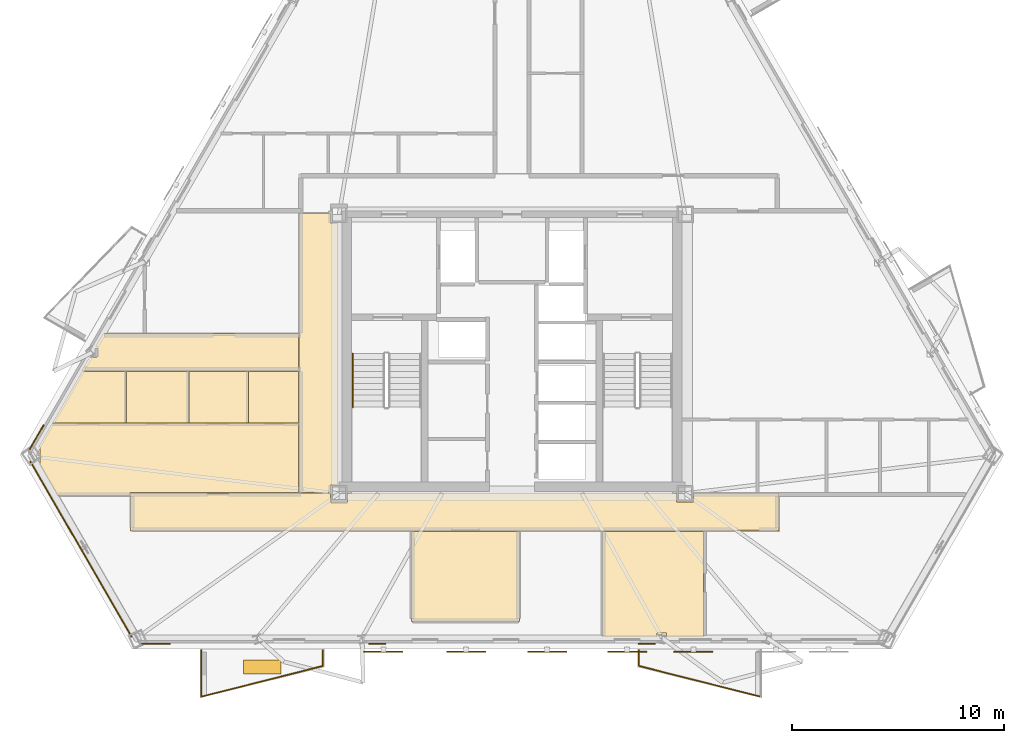
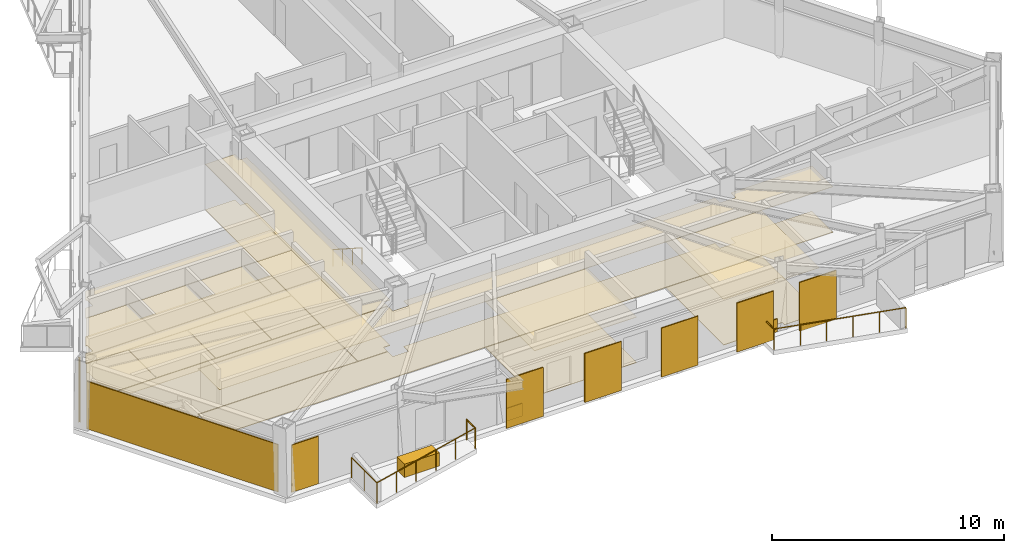
# One storey, part 7 of 9: 26 coverings, 6 railings, 5 shading devices.
"""IFC4 building model written with IfcOpenShell, lengths in metres."""

from ifc_helpers import new_model, si_unit, direction, frame, origin, origin_2d, place, context, subcontext, project, spatial, polyline, rectangle, circle, outline, extrude, material, layer, layer_set, type_object, element, save


model = new_model("IFC4")

# Units and contexts
model_context = context("Model", 3, precision=1e-05, world=origin(), true_north=direction((0.0, 1.0)))
body_context = subcontext(model_context, "Body", "Model", "MODEL_VIEW")
ifc_project = project(units=[si_unit("LENGTHUNIT", "METRE"), si_unit("AREAUNIT", "SQUARE_METRE"), si_unit("VOLUMEUNIT", "CUBIC_METRE"), si_unit("PLANEANGLEUNIT", "RADIAN"), si_unit("MASSUNIT", "GRAM", prefix="KILO")], contexts=[model_context])

# Site, building, storey
site_placement = place(None, origin())
site = spatial("IfcSite", under=ifc_project, at=site_placement, CompositionType="ELEMENT")
building_placement = place(site_placement, origin())
building = spatial("IfcBuilding", under=site, at=building_placement, Name="Oramaril Tower", CompositionType="ELEMENT")
storey_placement = place(building_placement, frame((0.0, 0.0, 138.60009765625)))
storey = spatial("IfcBuildingStorey", under=building, at=storey_placement, Name="L36", CompositionType="ELEMENT", Elevation=138.60009765625)

# Coverings
ifc_material_1 = material(Name="Mineral Fibre Acoustic Ceiling")
ifc_layer_1 = layer(ifc_material_1, 0.02001953125)
ifc_layer_set_1 = layer_set([ifc_layer_1], Name="CVT-CEIL")
covering_type_1 = type_object("IfcCoveringType", Name="CVT-CEIL", PredefinedType="CEILING", material=ifc_layer_set_1)
covering_1_placement = place(storey_placement, frame((0.0, 0.0, 2.39990234375)))
element("IfcCovering", 1, at=covering_1_placement, inside=storey, type_object=covering_type_1, Name="L36 Acoustic Suspended Ceiling 1", PredefinedType="CEILING", context=body_context, shape_type="SweptSolid", body=[
    extrude(outline(polyline([(28.955078125, 10.60498046875), (29.7451171875, 10.60498046875), (29.7451171875, 11.030029296875), (45.2548828125, 11.030029296875), (45.2548828125, 10.60498046875), (46.044921875, 10.60498046875), (46.044921875, 11.030029296875), (50.080078125, 11.030029296875), (50.080078125, 9.219970703125), (19.52001953125, 9.219970703125), (19.52001953125, 11.030029296875), (28.955078125, 11.030029296875), (28.955078125, 10.60498046875)])), origin(), (0.0, 0.0, 1.0), 0.02001953125),
])
covering_2_placement = place(storey_placement, frame((0.0, 0.0, 2.39990234375)))
element("IfcCovering", 2, at=covering_2_placement, inside=storey, type_object=covering_type_1, Name="L36 Acoustic Suspended Ceiling 3", PredefinedType="CEILING", context=body_context, shape_type="SweptSolid", body=[
    extrude(outline(polyline([(28.955078125, 23.7548828125), (29.280029296875, 23.7548828125), (29.280029296875, 11.39501953125), (28.955078125, 11.39501953125), (28.955078125, 11.050048828125), (27.469970703125, 11.050048828125), (27.469970703125, 24.219970703125), (28.955078125, 24.219970703125), (28.955078125, 23.7548828125)])), origin(), (0.0, 0.0, 1.0), 0.02001953125),
])
covering_3_placement = place(storey_placement, frame((0.0, 0.0, 2.39990234375)))
element("IfcCovering", 3, at=covering_3_placement, inside=storey, type_object=covering_type_1, Name="L36 Acoustic Suspended Ceiling 5", PredefinedType="CEILING", context=body_context, shape_type="SweptSolid", body=[
    extrude(outline(polyline([(17.206787109375, 16.77001953125), (17.5859375, 17.42626953125), (17.943115234375, 17.42626953125), (17.943115234375, 17.92578125), (17.874267578125, 17.92578125), (18.22314453125, 18.530029296875), (27.449951171875, 18.530029296875), (27.449951171875, 16.77001953125), (17.206787109375, 16.77001953125)])), origin(), (0.0, 0.0, 1.0), 0.02001953125),
])
covering_4_placement = place(storey_placement, frame((0.0, 0.0, 2.39990234375)))
element("IfcCovering", 4, at=covering_4_placement, inside=storey, type_object=covering_type_1, Name="L36 Acoustic Suspended Ceiling 6", PredefinedType="CEILING", context=body_context, shape_type="SweptSolid", body=[
    extrude(outline(polyline([(32.758056640625, 4.9580078125), (32.758056640625, 9.199951171875), (37.842041015625, 9.199951171875), (37.842041015625, 4.9580078125), (32.758056640625, 4.9580078125)])), origin(), (0.0, 0.0, 1.0), 0.02001953125),
])
covering_5_placement = place(storey_placement, frame((0.0, 0.0, 2.39990234375)))
element("IfcCovering", 5, at=covering_5_placement, inside=storey, type_object=covering_type_1, Name="L36 Acoustic Suspended Ceiling 8", PredefinedType="CEILING", context=body_context, shape_type="SweptSolid", body=[
    extrude(outline(polyline([(44.786376953125, 4.228759765625), (44.786376953125, 4.419677734375), (44.333251953125, 4.419677734375), (44.333251953125, 4.228759765625), (41.758056640625, 4.228759765625), (41.758056640625, 9.199951171875), (46.526611328125, 9.199951171875), (46.526611328125, 4.228759765625), (44.786376953125, 4.228759765625)])), origin(), (0.0, 0.0, 1.0), 0.02001953125),
])
covering_6_placement = place(storey_placement, frame((0.0, 0.0, 2.39990234375)))
element("IfcCovering", 6, at=covering_6_placement, inside=storey, type_object=covering_type_1, Name="L36 Acoustic Suspended Ceiling 9", PredefinedType="CEILING", context=body_context, shape_type="SweptSolid", body=[
    extrude(outline(polyline([(16.073974609375, 10.907958984375), (15.224365234375, 12.379638671875), (15.266845703125, 12.379638671875), (15.266845703125, 13.189697265625), (15.183837890625, 13.189697265625), (15.822509765625, 14.2958984375), (27.449951171875, 14.2958984375), (27.449951171875, 11.050048828125), (19.52001953125, 11.050048828125), (19.51806640625, 11.0498046875), (19.51611328125, 11.049560546875), (19.51416015625, 11.049072265625), (19.51220703125, 11.048583984375), (19.510498046875, 11.047607421875), (19.5087890625, 11.046630859375), (19.50732421875, 11.04541015625), (19.505859375, 11.044189453125), (19.50439453125, 11.042724609375), (19.50341796875, 11.041015625), (19.50244140625, 11.039306640625), (19.50146484375, 11.03759765625), (19.5009765625, 11.035888671875), (19.50048828125, 11.033935546875), (19.5, 11.031982421875), (19.5, 11.030029296875), (19.5, 10.907958984375), (16.073974609375, 10.907958984375)])), origin(), (0.0, 0.0, 1.0), 0.02001953125),
])
covering_7_placement = place(storey_placement, frame((0.0, 0.0, 2.39990234375)))
element("IfcCovering", 7, at=covering_7_placement, inside=storey, type_object=covering_type_1, Name="L36 Acoustic Suspended Ceiling 10", PredefinedType="CEILING", context=body_context, shape_type="SweptSolid", body=[
    extrude(outline(polyline([(17.2392578125, 16.75), (19.31494140625, 16.75), (19.31494140625, 14.31591796875), (15.833984375, 14.31591796875), (17.2392578125, 16.75)])), origin(), (0.0, 0.0, 1.0), 0.02001953125),
])
covering_8_placement = place(storey_placement, frame((0.0, 0.0, 2.39990234375)))
element("IfcCovering", 8, at=covering_8_placement, inside=storey, type_object=covering_type_1, Name="L36 Acoustic Suspended Ceiling 11", PredefinedType="CEILING", context=body_context, shape_type="SweptSolid", body=[
    extrude(outline(polyline([(22.259033203125, 14.31591796875), (19.3349609375, 14.31591796875), (19.3349609375, 16.75), (22.259033203125, 16.75), (22.259033203125, 14.31591796875)])), origin(), (0.0, 0.0, 1.0), 0.02001953125),
])
covering_9_placement = place(storey_placement, frame((0.0, 0.0, 2.39990234375)))
element("IfcCovering", 9, at=covering_9_placement, inside=storey, type_object=covering_type_1, Name="L36 Acoustic Suspended Ceiling 12", PredefinedType="CEILING", context=body_context, shape_type="SweptSolid", body=[
    extrude(outline(polyline([(25.072021484375, 14.31591796875), (22.279052734375, 14.31591796875), (22.279052734375, 16.75), (25.072021484375, 16.75), (25.072021484375, 14.31591796875)])), origin(), (0.0, 0.0, 1.0), 0.02001953125),
])
covering_10_placement = place(storey_placement, frame((0.0, 0.0, 2.39990234375)))
element("IfcCovering", 10, at=covering_10_placement, inside=storey, type_object=covering_type_1, Name="L36 Acoustic Suspended Ceiling 13", PredefinedType="CEILING", context=body_context, shape_type="SweptSolid", body=[
    extrude(outline(polyline([(25.092041015625, 16.75), (27.449951171875, 16.75), (27.449951171875, 14.31591796875), (25.092041015625, 14.31591796875), (25.092041015625, 16.75)])), origin(), (0.0, 0.0, 1.0), 0.02001953125),
])
ifc_material_2 = material(Name="Warm Cream Limestone", Category="masonry")
ifc_layer_2 = layer(ifc_material_2, 0.050048828125)
ifc_layer_set_2 = layer_set([ifc_layer_2], Name="CVT-CLD")
covering_type_2 = type_object("IfcCoveringType", Name="CVT-CLD", PredefinedType="CLADDING", material=ifc_layer_set_2)
covering_11_placement = place(storey_placement, frame((17.189697265625, 8.373779296875, 0.039794921875), z_axis=(0.0, 0.0, 1.0), x_axis=(0.500001511499, -0.866024531118, 0.0)))
element("IfcCovering", 11, at=covering_11_placement, inside=storey, type_object=covering_type_2, Name="L36 Warm Cream Limestone Cladding", PredefinedType="CLADDING", context=body_context, shape_type="SweptSolid", body=[
    extrude(rectangle(XDim=9.544921875, YDim=0.050048828125, at=origin_2d()), origin(), (0.0, 0.0, 1.0), 2.5),
])
covering_12_placement = place(storey_placement, frame((20.718017578125, 3.927734375, 0.039794921875), z_axis=(0.0, 0.0, 1.0), x_axis=(1.0, 0.0, 0.0)))
element("IfcCovering", 12, at=covering_12_placement, inside=storey, type_object=covering_type_2, Name="L36 Warm Cream Limestone Cladding", PredefinedType="CLADDING", context=body_context, shape_type="SweptSolid", body=[
    extrude(rectangle(XDim=1.35009765625, YDim=0.050048828125, at=origin_2d()), origin(), (0.0, 0.0, 1.0), 2.5),
])
for number, where, z_axis, x_axis, name in (
    (13, (31.15234375, 3.927734375, 0.0400390625), (0.0, 0.0, 1.0), (1.0, 0.0, 0.0), "L36 Warm Cream Limestone Spandrel Cladding"),
    (14, (43.84765625, 3.927734375, 0.0400390625), (0.0, 0.0, 1.0), (1.0, 0.0, 0.0), "L36 Warm Cream Limestone Spandrel Cladding"),
):
    element("IfcCovering", number, at=place(storey_placement, frame(where, z_axis=z_axis, x_axis=x_axis)), inside=storey, type_object=covering_type_2, Name=name, PredefinedType="CLADDING", context=body_context, shape_type="SweptSolid", body=[
        extrude(rectangle(XDim=0.800048828125, YDim=0.050048828125, at=origin_2d()), origin(), (0.0, 0.0, 1.0), 0.679931640625),
    ])
covering_13_placement = place(storey_placement, frame((15.103515625, 13.65234375, 0.039794921875), z_axis=(0.0, 0.0, 1.0), x_axis=(-0.5, -0.866025403784, 0.0)))
element("IfcCovering", 15, at=covering_13_placement, inside=storey, type_object=covering_type_2, Name="L36 Warm Cream Limestone Cladding", PredefinedType="CLADDING", context=body_context, shape_type="SweptSolid", body=[
    extrude(rectangle(XDim=1.35009765625, YDim=0.050048828125, at=origin_2d()), origin(), (0.0, 0.0, 1.0), 2.5),
])
covering_14_placement = place(storey_placement, frame((25.727294921875, 2.82421875, 0.0), z_axis=(0.0, 0.0, 1.0), x_axis=(1.0, 0.0, 0.0)))
element("IfcCovering", 16, at=covering_14_placement, inside=storey, type_object=covering_type_2, Name="L36 Structural Tree Planter Box L36-BAL-S1", PredefinedType="CLADDING", context=body_context, shape_type="SweptSolid", body=[
    extrude(rectangle(XDim=1.75, YDim=0.64990234375, at=origin_2d()), origin(), (0.0, 0.0, 1.0), 0.699951171875),
])
ifc_material_3 = material(Name="Honed Quartzite Stone Flooring", Category="masonry")
ifc_layer_3 = layer(ifc_material_3, 0.02490234375)
ifc_layer_set_3 = layer_set([ifc_layer_3], Name="CVT-FLR")
covering_type_3 = type_object("IfcCoveringType", Name="CVT-FLR", PredefinedType="FLOORING", material=ifc_layer_set_3)
covering_15_placement = place(storey_placement, origin())
element("IfcCovering", 17, at=covering_15_placement, inside=storey, type_object=covering_type_3, Name="L36 Honed Stone Floor Finish 1", PredefinedType="FLOORING", context=body_context, shape_type="SweptSolid", body=[
    extrude(outline(polyline([(28.955078125, 10.60498046875), (29.7451171875, 10.60498046875), (29.7451171875, 11.030029296875), (45.2548828125, 11.030029296875), (45.2548828125, 10.60498046875), (46.044921875, 10.60498046875), (46.044921875, 11.030029296875), (50.080078125, 11.030029296875), (50.080078125, 9.219970703125), (19.52001953125, 9.219970703125), (19.52001953125, 11.030029296875), (28.955078125, 11.030029296875), (28.955078125, 10.60498046875)])), origin(), (0.0, 0.0, 1.0), 0.02490234375),
])
covering_16_placement = place(storey_placement, origin())
element("IfcCovering", 18, at=covering_16_placement, inside=storey, type_object=covering_type_3, Name="L36 Honed Stone Floor Finish 3", PredefinedType="FLOORING", context=body_context, shape_type="SweptSolid", body=[
    extrude(outline(polyline([(28.955078125, 23.7548828125), (29.280029296875, 23.7548828125), (29.280029296875, 11.39501953125), (28.955078125, 11.39501953125), (28.955078125, 11.050048828125), (27.469970703125, 11.050048828125), (27.469970703125, 24.219970703125), (28.955078125, 24.219970703125), (28.955078125, 23.7548828125)])), origin(), (0.0, 0.0, 1.0), 0.02490234375),
])
covering_17_placement = place(storey_placement, origin())
element("IfcCovering", 19, at=covering_17_placement, inside=storey, type_object=covering_type_3, Name="L36 Honed Stone Floor Finish 5", PredefinedType="FLOORING", context=body_context, shape_type="SweptSolid", body=[
    extrude(outline(polyline([(17.206787109375, 16.77001953125), (17.5859375, 17.42626953125), (17.943115234375, 17.42626953125), (17.943115234375, 17.92578125), (17.874267578125, 17.92578125), (18.22314453125, 18.530029296875), (27.449951171875, 18.530029296875), (27.449951171875, 16.77001953125), (17.206787109375, 16.77001953125)])), origin(), (0.0, 0.0, 1.0), 0.02490234375),
])
covering_18_placement = place(storey_placement, origin())
element("IfcCovering", 20, at=covering_18_placement, inside=storey, type_object=covering_type_3, Name="L36 Honed Stone Floor Finish 6", PredefinedType="FLOORING", context=body_context, shape_type="SweptSolid", body=[
    extrude(outline(polyline([(32.758056640625, 4.9580078125), (32.758056640625, 9.199951171875), (37.842041015625, 9.199951171875), (37.842041015625, 4.9580078125), (32.758056640625, 4.9580078125)])), origin(), (0.0, 0.0, 1.0), 0.02490234375),
])
covering_19_placement = place(storey_placement, origin())
element("IfcCovering", 21, at=covering_19_placement, inside=storey, type_object=covering_type_3, Name="L36 Honed Stone Floor Finish 8", PredefinedType="FLOORING", context=body_context, shape_type="SweptSolid", body=[
    extrude(outline(polyline([(44.786376953125, 4.228759765625), (44.786376953125, 4.419677734375), (44.333251953125, 4.419677734375), (44.333251953125, 4.228759765625), (41.758056640625, 4.228759765625), (41.758056640625, 9.199951171875), (46.526611328125, 9.199951171875), (46.526611328125, 4.228759765625), (44.786376953125, 4.228759765625)])), origin(), (0.0, 0.0, 1.0), 0.02490234375),
])
covering_20_placement = place(storey_placement, origin())
element("IfcCovering", 22, at=covering_20_placement, inside=storey, type_object=covering_type_3, Name="L36 Honed Stone Floor Finish 9", PredefinedType="FLOORING", context=body_context, shape_type="SweptSolid", body=[
    extrude(outline(polyline([(16.073974609375, 10.907958984375), (15.224365234375, 12.379638671875), (15.266845703125, 12.379638671875), (15.266845703125, 13.189697265625), (15.183837890625, 13.189697265625), (15.822509765625, 14.2958984375), (27.449951171875, 14.2958984375), (27.449951171875, 11.050048828125), (19.52001953125, 11.050048828125), (19.51806640625, 11.0498046875), (19.51611328125, 11.049560546875), (19.51416015625, 11.049072265625), (19.51220703125, 11.048583984375), (19.510498046875, 11.047607421875), (19.5087890625, 11.046630859375), (19.50732421875, 11.04541015625), (19.505859375, 11.044189453125), (19.50439453125, 11.042724609375), (19.50341796875, 11.041015625), (19.50244140625, 11.039306640625), (19.50146484375, 11.03759765625), (19.5009765625, 11.035888671875), (19.50048828125, 11.033935546875), (19.5, 11.031982421875), (19.5, 11.030029296875), (19.5, 10.907958984375), (16.073974609375, 10.907958984375)])), origin(), (0.0, 0.0, 1.0), 0.02490234375),
])
covering_21_placement = place(storey_placement, origin())
element("IfcCovering", 23, at=covering_21_placement, inside=storey, type_object=covering_type_3, Name="L36 Honed Stone Floor Finish 10", PredefinedType="FLOORING", context=body_context, shape_type="SweptSolid", body=[
    extrude(outline(polyline([(17.2392578125, 16.75), (19.31494140625, 16.75), (19.31494140625, 14.31591796875), (15.833984375, 14.31591796875), (17.2392578125, 16.75)])), origin(), (0.0, 0.0, 1.0), 0.02490234375),
])
covering_22_placement = place(storey_placement, origin())
element("IfcCovering", 24, at=covering_22_placement, inside=storey, type_object=covering_type_3, Name="L36 Honed Stone Floor Finish 11", PredefinedType="FLOORING", context=body_context, shape_type="SweptSolid", body=[
    extrude(outline(polyline([(22.259033203125, 14.31591796875), (19.3349609375, 14.31591796875), (19.3349609375, 16.75), (22.259033203125, 16.75), (22.259033203125, 14.31591796875)])), origin(), (0.0, 0.0, 1.0), 0.02490234375),
])
covering_23_placement = place(storey_placement, origin())
element("IfcCovering", 25, at=covering_23_placement, inside=storey, type_object=covering_type_3, Name="L36 Honed Stone Floor Finish 12", PredefinedType="FLOORING", context=body_context, shape_type="SweptSolid", body=[
    extrude(outline(polyline([(25.072021484375, 14.31591796875), (22.279052734375, 14.31591796875), (22.279052734375, 16.75), (25.072021484375, 16.75), (25.072021484375, 14.31591796875)])), origin(), (0.0, 0.0, 1.0), 0.02490234375),
])
covering_24_placement = place(storey_placement, origin())
element("IfcCovering", 26, at=covering_24_placement, inside=storey, type_object=covering_type_3, Name="L36 Honed Stone Floor Finish 13", PredefinedType="FLOORING", context=body_context, shape_type="SweptSolid", body=[
    extrude(outline(polyline([(25.092041015625, 16.75), (27.449951171875, 16.75), (27.449951171875, 14.31591796875), (25.092041015625, 14.31591796875), (25.092041015625, 16.75)])), origin(), (0.0, 0.0, 1.0), 0.02490234375),
])

# Railings
ifc_material_4 = material(Name="Stainless Steel 316L", Category="steel")
railing_type_1 = type_object("IfcRailingType", Name="RLT-GRD", PredefinedType="GUARDRAIL", material=ifc_material_4)
railing_1_placement = place(storey_placement, frame((28.59228515625, 3.61279296875, 0.0)))
element("IfcRailing", 27, at=railing_1_placement, inside=storey, type_object=railing_type_1, Name="L36 Balcony Guardrail L36-BAL-S1.1", PredefinedType="GUARDRAIL", context=body_context, shape_type="SweptSolid", body=[
    extrude(circle(Radius=0.02392578125, at=origin_2d()), frame((0.0, 0.0, 1.076171875), z_axis=(0.0, -1.0, 0.0), x_axis=(1.0, 0.0, 0.0)), (0.0, 0.0, 1.0), 0.741943359375),
    extrude(circle(Radius=0.02099609375, at=origin_2d()), origin(), (0.0, 0.0, 1.0), 1.052001953125),
    extrude(circle(Radius=0.02099609375, at=origin_2d()), frame((0.0, -0.741943359375, 0.0)), (0.0, 0.0, 1.0), 1.052001953125),
])
railing_2_placement = place(storey_placement, frame((28.59228515625, 2.870849609375, 0.0)))
element("IfcRailing", 28, at=railing_2_placement, inside=storey, type_object=railing_type_1, Name="L36 Balcony Guardrail L36-BAL-S1.2", PredefinedType="GUARDRAIL", context=body_context, shape_type="SweptSolid", body=[
    extrude(circle(Radius=0.02392578125, at=origin_2d()), frame((0.0, 0.0, 1.076171875), z_axis=(-0.969443611257, -0.245314256807, 0.0), x_axis=(0.245314256807, -0.969443611257, 0.0)), (0.0, 0.0, 1.0), 5.91064453125),
    extrude(circle(Radius=0.02099609375, at=origin_2d()), origin(), (0.0, 0.0, 1.0), 1.052001953125),
    extrude(circle(Radius=0.02099609375, at=origin_2d()), frame((-1.14599609375, -0.2900390625, 0.0)), (0.0, 0.0, 1.0), 1.052001953125),
    extrude(circle(Radius=0.02099609375, at=origin_2d()), frame((-2.2919921875, -0.580078125, 0.0)), (0.0, 0.0, 1.0), 1.052001953125),
    extrude(circle(Radius=0.02099609375, at=origin_2d()), frame((-3.43798828125, -0.869873046875, 0.0)), (0.0, 0.0, 1.0), 1.052001953125),
    extrude(circle(Radius=0.02099609375, at=origin_2d()), frame((-4.583984375, -1.159912109375, 0.0)), (0.0, 0.0, 1.0), 1.052001953125),
    extrude(circle(Radius=0.02099609375, at=origin_2d()), frame((-5.72998046875, -1.449951171875, 0.0)), (0.0, 0.0, 1.0), 1.052001953125),
])
railing_3_placement = place(storey_placement, frame((22.8623046875, 1.4208984375, 0.0)))
element("IfcRailing", 29, at=railing_3_placement, inside=storey, type_object=railing_type_1, Name="L36 Balcony Guardrail L36-BAL-S1.3", PredefinedType="GUARDRAIL", context=body_context, shape_type="SweptSolid", body=[
    extrude(circle(Radius=0.02392578125, at=origin_2d()), frame((0.0, 0.0, 1.076171875), z_axis=(0.0, 1.0, 0.0), x_axis=(-1.0, 0.0, 0.0)), (0.0, 0.0, 1.0), 2.19189453125),
    extrude(circle(Radius=0.02099609375, at=origin_2d()), origin(), (0.0, 0.0, 1.0), 1.052001953125),
    extrude(circle(Radius=0.02099609375, at=origin_2d()), frame((0.0, 1.095947265625, 0.0)), (0.0, 0.0, 1.0), 1.052001953125),
    extrude(circle(Radius=0.02099609375, at=origin_2d()), frame((0.0, 2.19189453125, 0.0)), (0.0, 0.0, 1.0), 1.052001953125),
])
railing_4_placement = place(storey_placement, frame((49.212646484375, 1.4208984375, 0.0)))
element("IfcRailing", 30, at=railing_4_placement, inside=storey, type_object=railing_type_1, Name="L36 Balcony Guardrail L36-BAL-S2.2", PredefinedType="GUARDRAIL", context=body_context, shape_type="SweptSolid", body=[
    extrude(circle(Radius=0.02392578125, at=origin_2d()), frame((0.0, 0.0, 1.076171875), z_axis=(-0.969443611257, 0.245314256807, 0.0), x_axis=(-0.245314256807, -0.969443611257, 0.0)), (0.0, 0.0, 1.0), 5.91064453125),
    extrude(circle(Radius=0.02099609375, at=origin_2d()), origin(), (0.0, 0.0, 1.0), 1.052001953125),
    extrude(circle(Radius=0.02099609375, at=origin_2d()), frame((-1.14599609375, 0.2900390625, 0.0)), (0.0, 0.0, 1.0), 1.052001953125),
    extrude(circle(Radius=0.02099609375, at=origin_2d()), frame((-2.2919921875, 0.580078125, 0.0)), (0.0, 0.0, 1.0), 1.052001953125),
    extrude(circle(Radius=0.02099609375, at=origin_2d()), frame((-3.43798828125, 0.869873046875, 0.0)), (0.0, 0.0, 1.0), 1.052001953125),
    extrude(circle(Radius=0.02099609375, at=origin_2d()), frame((-4.583984375, 1.159912109375, 0.0)), (0.0, 0.0, 1.0), 1.052001953125),
    extrude(circle(Radius=0.02099609375, at=origin_2d()), frame((-5.72998046875, 1.449951171875, 0.0)), (0.0, 0.0, 1.0), 1.052001953125),
])
railing_5_placement = place(storey_placement, frame((43.482666015625, 2.870849609375, 0.0)))
element("IfcRailing", 31, at=railing_5_placement, inside=storey, type_object=railing_type_1, Name="L36 Balcony Guardrail L36-BAL-S2.3", PredefinedType="GUARDRAIL", context=body_context, shape_type="SweptSolid", body=[
    extrude(circle(Radius=0.02392578125, at=origin_2d()), frame((0.0, 0.0, 1.076171875), z_axis=(0.0, 1.0, 0.0), x_axis=(-1.0, 0.0, 0.0)), (0.0, 0.0, 1.0), 0.741943359375),
    extrude(circle(Radius=0.02099609375, at=origin_2d()), origin(), (0.0, 0.0, 1.0), 1.052001953125),
    extrude(circle(Radius=0.02099609375, at=origin_2d()), frame((0.0, 0.741943359375, 0.0)), (0.0, 0.0, 1.0), 1.052001953125),
])
ifc_material_5 = material(Name="Stainless Steel 316L", Category="steel")
railing_type_2 = type_object("IfcRailingType", Name="RLT-HND", PredefinedType="HANDRAIL", material=ifc_material_5)
railing_6_placement = place(storey_placement, frame((30.0, 17.590087890625, 0.179931640625)))
element("IfcRailing", 32, at=railing_6_placement, inside=storey, type_object=railing_type_2, Name="L36 ST-1 stair handrail 1", PredefinedType="HANDRAIL", context=body_context, shape_type="SweptSolid", body=[
    extrude(circle(Radius=0.02392578125, at=origin_2d()), frame((0.0, 0.0, 0.8759765625), z_axis=(0.0, -0.841199657755, 0.540724639528), x_axis=(1.0, 0.0, 0.0)), (0.0, 0.0, 1.0), 2.995849609375),
    extrude(circle(Radius=0.02099609375, at=origin_2d()), origin(), (0.0, 0.0, 1.0), 0.851806640625),
    extrude(circle(Radius=0.02099609375, at=origin_2d()), frame((0.0, -0.840087890625, 0.5400390625)), (0.0, 0.0, 1.0), 0.851806640625),
    extrude(circle(Radius=0.02099609375, at=origin_2d()), frame((0.0, -1.679931640625, 1.079833984375)), (0.0, 0.0, 1.0), 0.851806640625),
    extrude(circle(Radius=0.02099609375, at=origin_2d()), frame((0.0, -2.52001953125, 1.619873046875)), (0.0, 0.0, 1.0), 0.851806640625),
])

# Shading devices
for number, where, z_axis, x_axis, name in (
    (33, (31.441650390625, 3.540771484375, -0.02001953125), (0.0, 0.0, 1.0), (1.0, 0.0, 0.0), "L36 Perforated Ceramic Solar Screen"),
    (34, (35.341796875, 3.540771484375, -0.02001953125), (0.0, 0.0, 1.0), (1.0, 0.0, 0.0), "L36 Perforated Ceramic Solar Screen"),
    (35, (39.158203125, 3.540771484375, -0.02001953125), (0.0, 0.0, 1.0), (1.0, 0.0, 0.0), "L36 Perforated Ceramic Solar Screen"),
    (36, (46.04638671875, 3.540771484375, -0.02001953125), (0.0, 0.0, 1.0), (1.0, 0.0, 0.0), "L36 Perforated Ceramic Solar Screen"),
    (37, (42.925048828125, 3.540771484375, -0.02001953125), (0.0, 0.0, 1.0), (1.0, 0.0, 0.0), "L36 Perforated Ceramic Solar Screen"),
):
    element("IfcShadingDevice", number, at=place(storey_placement, frame(where, z_axis=z_axis, x_axis=x_axis)), inside=storey, Name=name, ObjectType="SCREEN", PredefinedType="USERDEFINED", context=body_context, shape_type="SweptSolid", body=[
        extrude(rectangle(XDim=1.8330078125, YDim=0.050048828125, at=origin_2d()), origin(), (0.0, 0.0, 1.0), 2.580078125),
    ])

save(model, "model.ifc")
